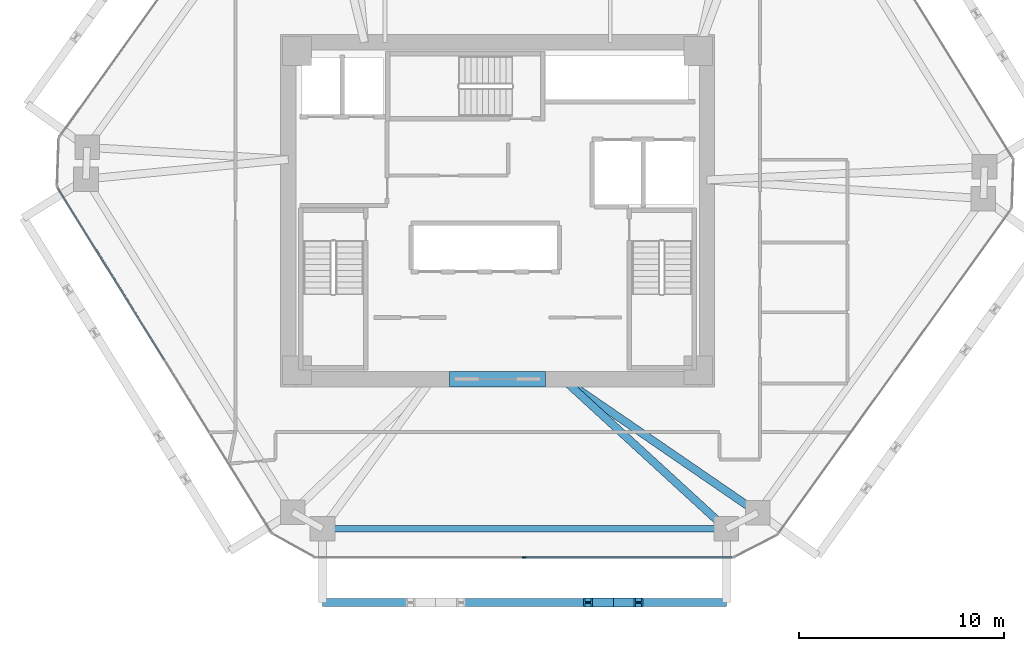
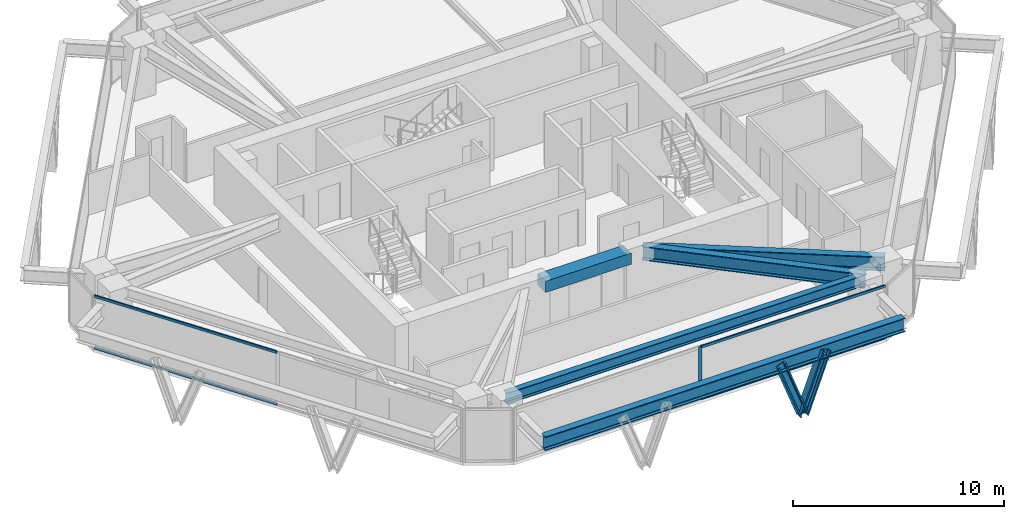
# One storey, part 3 of 13: 7 members, 5 beams, 2 elements without a shape of their own.
"""IFC4 building model written with IfcOpenShell, lengths in metres."""

from ifc_helpers import new_model, si_unit, direction, frame, origin, origin_2d, place, context, subcontext, project, spatial, rectangle, i_section, extrude, source, transform, mapped, material, layer, layer_set, material_profile, profile_set, type_object, type_shapes, element, aggregate, save


model = new_model("IFC4")

# Units and contexts
model_context = context("Model", 3, precision=1e-05, world=origin(), true_north=direction((0.0, 1.0)))
body_context = subcontext(model_context, "Body", "Model", "MODEL_VIEW")
ifc_project = project(units=[si_unit("LENGTHUNIT", "METRE"), si_unit("AREAUNIT", "SQUARE_METRE"), si_unit("VOLUMEUNIT", "CUBIC_METRE"), si_unit("PLANEANGLEUNIT", "RADIAN"), si_unit("MASSUNIT", "GRAM", prefix="KILO")], contexts=[model_context])

# Site, building, storey
site_placement = place(None, origin())
site = spatial("IfcSite", under=ifc_project, at=site_placement, CompositionType="ELEMENT")
building_placement = place(site_placement, origin())
building = spatial("IfcBuilding", under=site, at=building_placement, Name="Durnholm Broadcast Tower", CompositionType="ELEMENT")
storey_placement = place(building_placement, frame((0.0, 0.0, 100.800048828125)))
storey = spatial("IfcBuildingStorey", under=building, at=storey_placement, Name="L26", CompositionType="ELEMENT", Elevation=100.800048828125)

# Beams
ifc_material_1 = material(Name="Concrete C70/85", Category="concrete")
ifc_material_profile_1 = material_profile(ifc_material_1, rectangle(XDim=0.75, YDim=0.64990234375, at=origin_2d()), Name="RC750X650")
ifc_profile_set_1 = profile_set([ifc_material_profile_1], Name="Concrete C70/85")
beam_type_1 = type_object("IfcBeamType", Name="BM-CB-RC650", PredefinedType="LINTEL", material=ifc_profile_set_1)
shared_shape_1 = source(origin(), body_context, "Body", "SweptSolid", [
    extrude(rectangle(XDim=0.75, YDim=0.64990234375, at=origin_2d()), origin(), (0.0, 0.0, 1.0), 4.7001953125),
])
type_shapes(beam_type_1, [shared_shape_1])
beam_1_placement = place(storey_placement, frame((-2.35009765625, -8.22509765625, 2.72998046875), z_axis=(1.0, 0.0, 0.0), x_axis=(0.0, 1.0, 0.0)))
element("IfcBeam", 1, at=beam_1_placement, inside=storey, type_object=beam_type_1, Name="L26 south core coupling lintel beam CB-S", PredefinedType="LINTEL", context=body_context, shape_type="MappedRepresentation", body=[
    mapped(shared_shape_1, transform((0.0, 0.0, 0.0), x_axis=(1.0, 0.0, 0.0), y_axis=(0.0, 1.0, 0.0), z_axis=(0.0, 0.0, 1.0), scale=1.0)),
])
ifc_material_2 = material(Name="Steel ASTM A992 Grade 50", Category="steel")
ifc_material_profile_2 = material_profile(ifc_material_2, i_section(OverallWidth=0.3291015625, OverallDepth=0.635009765625, WebThickness=0.017822265625, FlangeThickness=0.031005859375, FilletRadius=0.02783203125, at=origin_2d()), Name="W24X162")
ifc_profile_set_2 = profile_set([ifc_material_profile_2], Name="Steel ASTM A992 Grade 50")
beam_type_2 = type_object("IfcBeamType", Name="STL-SP-W24X162", PredefinedType="SPANDREL", material=ifc_profile_set_2)
shared_shape_2 = source(origin(), body_context, "Body", "SweptSolid", [
    extrude(i_section(OverallWidth=0.3291015625, OverallDepth=0.635009765625, WebThickness=0.017822265625, FlangeThickness=0.031005859375, FilletRadius=0.02783203125, at=origin_2d()), origin(), (0.0, 0.0, 1.0), 19.72802734375),
])
type_shapes(beam_type_2, [shared_shape_2])
beam_2_placement = place(storey_placement, frame((11.176025390625, -15.537109375, 2.7275390625), z_axis=(-1.0, 0.0, 0.0), x_axis=(0.0, -1.0, 0.0)))
element("IfcBeam", 2, at=beam_2_placement, inside=storey, type_object=beam_type_2, Name="L26 perimeter spandrel girder 11", PredefinedType="SPANDREL", context=body_context, shape_type="MappedRepresentation", body=[
    mapped(shared_shape_2, transform((0.0, 0.0, 0.0), x_axis=(1.0, 0.0, 0.0), y_axis=(0.0, 1.0, 0.0), z_axis=(0.0, 0.0, 1.0), scale=1.0)),
])
ifc_material_profile_3 = material_profile(ifc_material_2, i_section(OverallWidth=0.385009765625, OverallDepth=0.802978515625, WebThickness=0.023681640625, FlangeThickness=0.0419921875, FilletRadius=0.032958984375, at=origin_2d()), Name="W30X261")
ifc_profile_set_3 = profile_set([ifc_material_profile_3], Name="Steel ASTM A992 Grade 50")
beam_type_3 = type_object("IfcBeamType", Name="STL-GR-W30X261", PredefinedType="USERDEFINED", material=ifc_profile_set_3)
shared_shape_3 = source(origin(), body_context, "Body", "SweptSolid", [
    extrude(i_section(OverallWidth=0.385009765625, OverallDepth=0.802978515625, WebThickness=0.023681640625, FlangeThickness=0.0419921875, FilletRadius=0.032958984375, at=origin_2d()), origin(), (0.0, 0.0, 1.0), 11.533447265625),
])
beam_3_placement = place(storey_placement, frame((3.199951171875, -8.22509765625, 2.6435546875), z_axis=(0.824567182461, -0.565764051181, 0.0), x_axis=(0.565764051181, 0.824567182461, 0.0)))
element("IfcBeam", 3, at=beam_3_placement, inside=storey, type_object=beam_type_3, Name="L26 radial primary floor girder 10", ObjectType="GIRDER", PredefinedType="USERDEFINED", context=body_context, shape_type="MappedRepresentation", body=[
    mapped(shared_shape_3, transform((0.0, 0.0, 0.0), x_axis=(1.0, 0.0, 0.0), y_axis=(0.0, 1.0, 0.0), z_axis=(0.0, 0.0, 1.0), scale=1.0)),
])
shared_shape_4 = source(origin(), body_context, "Body", "SweptSolid", [
    extrude(i_section(OverallWidth=0.385009765625, OverallDepth=0.802978515625, WebThickness=0.023681640625, FlangeThickness=0.0419921875, FilletRadius=0.032958984375, at=origin_2d()), origin(), (0.0, 0.0, 1.0), 10.820556640625),
])
type_shapes(beam_type_3, [shared_shape_3, shared_shape_4])
beam_4_placement = place(storey_placement, frame((3.199951171875, -8.22509765625, 2.6435546875), z_axis=(0.737126042516, -0.675755279258, 0.0), x_axis=(0.675755279258, 0.737126042516, 0.0)))
element("IfcBeam", 4, at=beam_4_placement, inside=storey, type_object=beam_type_3, Name="L26 radial primary floor girder 11", ObjectType="GIRDER", PredefinedType="USERDEFINED", context=body_context, shape_type="MappedRepresentation", body=[
    mapped(shared_shape_4, transform((0.0, 0.0, 0.0), x_axis=(1.0, 0.0, 0.0), y_axis=(0.0, 1.0, 0.0), z_axis=(0.0, 0.0, 1.0), scale=1.0)),
])
ifc_material_profile_4 = material_profile(ifc_material_2, i_section(OverallWidth=0.385009765625, OverallDepth=0.802978515625, WebThickness=0.023681640625, FlangeThickness=0.0419921875, FilletRadius=0.032958984375, at=origin_2d()), Name="W30X261")
ifc_profile_set_4 = profile_set([ifc_material_profile_4], Name="Steel ASTM A992 Grade 50")
beam_type_4 = type_object("IfcBeamType", Name="BM-EXO-TIE", PredefinedType="USERDEFINED", material=ifc_profile_set_4)
shared_shape_5 = source(origin(), body_context, "Body", "SweptSolid", [
    extrude(i_section(OverallWidth=0.385009765625, OverallDepth=0.802978515625, WebThickness=0.023681640625, FlangeThickness=0.0419921875, FilletRadius=0.032958984375, at=origin_2d()), origin(), (0.0, 0.0, 1.0), 19.72802734375),
])
type_shapes(beam_type_4, [shared_shape_5])
beam_5_placement = place(storey_placement, frame((-8.552001953125, -19.136962890625, 2.30859375), z_axis=(1.0, 0.0, 0.0), x_axis=(0.0, 1.0, 0.0)))
element("IfcBeam", 5, at=beam_5_placement, inside=storey, type_object=beam_type_4, Name="L26 exoskeleton collector spandrel F1", PredefinedType="SPANDREL", context=body_context, shape_type="MappedRepresentation", body=[
    mapped(shared_shape_5, transform((0.0, 0.0, 0.0), x_axis=(1.0, 0.0, 0.0), y_axis=(0.0, 1.0, 0.0), z_axis=(0.0, 0.0, 1.0), scale=1.0)),
])

# Members
ifc_material_3 = material(Name="Steel ASTM A913 Grade 65", Category="steel")
ifc_material_profile_5 = material_profile(ifc_material_3, i_section(OverallWidth=0.424072265625, OverallDepth=0.47412109375, WebThickness=0.047607421875, FlangeThickness=0.0771484375, FilletRadius=0.030517578125, at=origin_2d()), Name="W14X426")
ifc_profile_set_5 = profile_set([ifc_material_profile_5], Name="Steel ASTM A913 Grade 65")
member_type_1 = type_object("IfcMemberType", Name="STL-DG-W14X426", PredefinedType="BRACE", material=ifc_profile_set_5)
shared_shape_6 = source(origin(), body_context, "Body", "SweptSolid", [
    extrude(i_section(OverallWidth=0.424072265625, OverallDepth=0.47412109375, WebThickness=0.047607421875, FlangeThickness=0.0771484375, FilletRadius=0.030517578125, at=origin_2d()), origin(), (0.0, 0.0, 1.0), 3.523193359375),
])
type_shapes(member_type_1, [shared_shape_6])
for number, where, z_axis, x_axis, name in (
    (6, (5.65234375, -19.136962890625, -0.991455078125), (-0.350219588454, 0.0, 0.936667625075), (0.0, -1.0, 0.0), "L26 stand-off diagrid brace F1.D2.1"),
    (7, (5.65234375, -19.136962890625, -0.991455078125), (0.350158790071, 0.0, 0.936690355313), (0.0, 1.0, 0.0), "L26 stand-off diagrid brace F1.D2.2"),
):
    element("IfcMember", number, at=place(storey_placement, frame(where, z_axis=z_axis, x_axis=x_axis)), inside=storey, type_object=member_type_1, Name=name, PredefinedType="BRACE", context=body_context, shape_type="MappedRepresentation", body=[
        mapped(shared_shape_6, transform((0.0, 0.0, 0.0), x_axis=(1.0, 0.0, 0.0), y_axis=(0.0, 1.0, 0.0), z_axis=(0.0, 0.0, 1.0), scale=1.0)),
    ])

# Curtain wall, members
ifc_material_4 = material(Name="Aluminium and Solar Control IGU", Category="aluminium")
ifc_layer = layer(ifc_material_4, 0.18994140625)
ifc_layer_set = layer_set([ifc_layer], Name="Aluminium and Solar Control IGU")
curtain_wall_type = type_object("IfcCurtainWallType", Name="CW-SYS-3", PredefinedType="NOTDEFINED", material=ifc_layer_set)
curtain_wall_1_placement = place(storey_placement, origin())
curtain_wall_1 = element("IfcCurtainWall", 8, at=curtain_wall_1_placement, inside=storey, type_object=curtain_wall_type, Name="L26 curtain wall CW-Z12-VIS CW-L26-F10", PredefinedType="NOTDEFINED")
ifc_material_5 = material(Name="Aluminium 6063-T6", Category="aluminium")
ifc_material_profile_6 = material_profile(ifc_material_5, rectangle(XDim=0.070068359375, YDim=0.18994140625, at=origin_2d()), Name="CWM70X190")
ifc_profile_set_6 = profile_set([ifc_material_profile_6], Name="Aluminium 6063-T6")
member_type_2 = type_object("IfcMemberType", Name="CW-SYS-3-MUL", PredefinedType="MULLION", material=ifc_profile_set_6)
shared_shape_7 = source(origin(), body_context, "Body", "SweptSolid", [
    extrude(rectangle(XDim=0.070068359375, YDim=0.18994140625, at=origin_2d()), origin(), (0.0, 0.0, 1.0), 3.06005859375),
])
type_shapes(member_type_2, [shared_shape_7])
member_1_placement = place(storey_placement, frame((1.299560546875, -16.93701171875, 0.0), z_axis=(0.0, 0.0, 1.0), x_axis=(0.0, -1.0, 0.0)))
member_1 = element("IfcMember", 9, at=member_1_placement, type_object=member_type_2, Name="CW-Z12-VIS mullion 2", PredefinedType="MULLION", context=body_context, shape_type="MappedRepresentation", body=[
    mapped(shared_shape_7, transform((0.0, 0.0, 0.0), x_axis=(1.0, 0.0, 0.0), y_axis=(0.0, 1.0, 0.0), z_axis=(0.0, 0.0, 1.0), scale=1.0)),
])
ifc_material_profile_7 = material_profile(ifc_material_5, rectangle(XDim=0.070068359375, YDim=0.14990234375, at=origin_2d()), Name="CWT70X150")
ifc_profile_set_7 = profile_set([ifc_material_profile_7], Name="Aluminium 6063-T6")
member_type_3 = type_object("IfcMemberType", Name="CW-SYS-3-TRN", PredefinedType="USERDEFINED", material=ifc_profile_set_7)
shared_shape_8 = source(origin(), body_context, "Body", "SweptSolid", [
    extrude(rectangle(XDim=0.070068359375, YDim=0.14990234375, at=origin_2d()), origin(), (0.0, 0.0, 1.0), 10.109619140625),
])
member_2_placement = place(storey_placement, frame((11.444091796875, -16.93701171875, 0.034912109375), z_axis=(-1.0, 0.0, 0.0), x_axis=(0.0, -1.0, 0.0)))
member_2 = element("IfcMember", 10, at=member_2_placement, type_object=member_type_3, Name="CW-Z12-VIS transom 1.1", ObjectType="TRANSOM", PredefinedType="USERDEFINED", context=body_context, shape_type="MappedRepresentation", body=[
    mapped(shared_shape_8, transform((0.0, 0.0, 0.0), x_axis=(1.0, 0.0, 0.0), y_axis=(0.0, 1.0, 0.0), z_axis=(0.0, 0.0, 1.0), scale=1.0)),
])
member_3_placement = place(storey_placement, frame((11.444091796875, -16.93701171875, 3.02490234375), z_axis=(-1.0, 0.0, 0.0), x_axis=(0.0, -1.0, 0.0)))
member_3 = element("IfcMember", 11, at=member_3_placement, type_object=member_type_3, Name="CW-Z12-VIS transom 1.2", ObjectType="TRANSOM", PredefinedType="USERDEFINED", context=body_context, shape_type="MappedRepresentation", body=[
    mapped(shared_shape_8, transform((0.0, 0.0, 0.0), x_axis=(1.0, 0.0, 0.0), y_axis=(0.0, 1.0, 0.0), z_axis=(0.0, 0.0, 1.0), scale=1.0)),
])
aggregate(curtain_wall_1, [member_1, member_2, member_3])

curtain_wall_2_placement = place(storey_placement, origin())
curtain_wall_2 = element("IfcCurtainWall", 12, at=curtain_wall_2_placement, inside=storey, type_object=curtain_wall_type, Name="L26 curtain wall CW-Z12-VIS CW-L26-F12", PredefinedType="NOTDEFINED")
shared_shape_9 = source(origin(), body_context, "Body", "SweptSolid", [
    extrude(rectangle(XDim=0.070068359375, YDim=0.14990234375, at=origin_2d()), origin(), (0.0, 0.0, 1.0), 9.85888671875),
])
type_shapes(member_type_3, [shared_shape_8, shared_shape_9])
member_4_placement = place(storey_placement, frame((-16.28271484375, -7.27294921875, 0.034912109375), z_axis=(-0.527119964735, 0.849790881793, 0.0), x_axis=(-0.849790881793, -0.527119964735, 0.0)))
member_4 = element("IfcMember", 13, at=member_4_placement, type_object=member_type_3, Name="CW-Z12-VIS transom 2.1", ObjectType="TRANSOM", PredefinedType="USERDEFINED", context=body_context, shape_type="MappedRepresentation", body=[
    mapped(shared_shape_9, transform((0.0, 0.0, 0.0), x_axis=(1.0, 0.0, 0.0), y_axis=(0.0, 1.0, 0.0), z_axis=(0.0, 0.0, 1.0), scale=1.0)),
])
member_5_placement = place(storey_placement, frame((-16.28271484375, -7.27294921875, 3.02490234375), z_axis=(-0.527119964735, 0.849790881793, 0.0), x_axis=(-0.849790881793, -0.527119964735, 0.0)))
member_5 = element("IfcMember", 14, at=member_5_placement, type_object=member_type_3, Name="CW-Z12-VIS transom 2.2", ObjectType="TRANSOM", PredefinedType="USERDEFINED", context=body_context, shape_type="MappedRepresentation", body=[
    mapped(shared_shape_9, transform((0.0, 0.0, 0.0), x_axis=(1.0, 0.0, 0.0), y_axis=(0.0, 1.0, 0.0), z_axis=(0.0, 0.0, 1.0), scale=1.0)),
])
aggregate(curtain_wall_2, [member_4, member_5])

save(model, "model.ifc")
